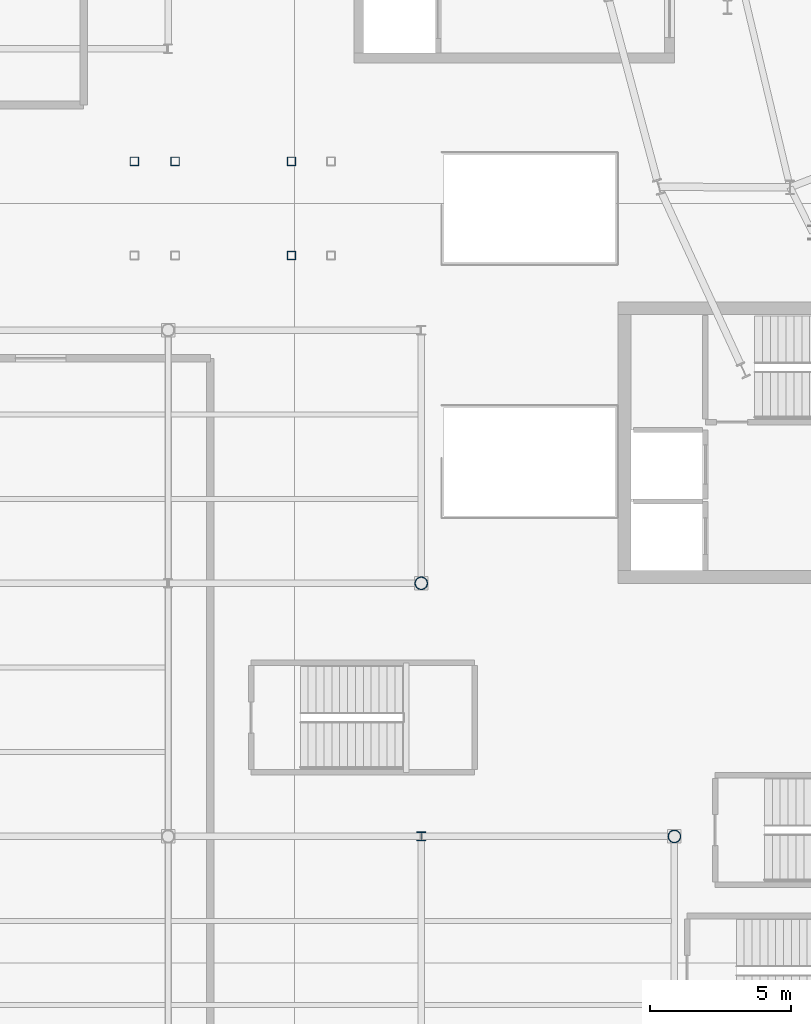
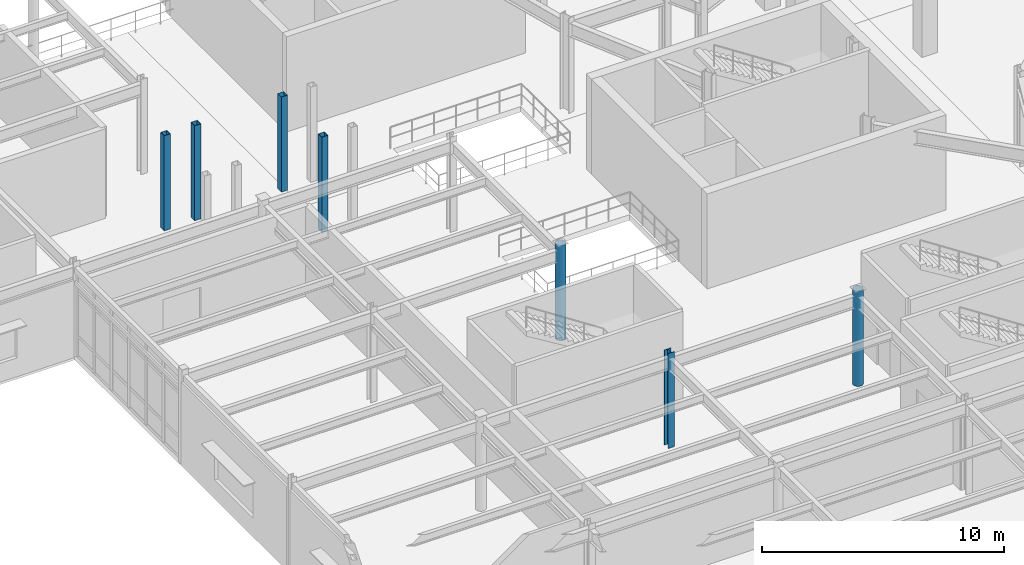
# One storey, part 4 of 86: 7 columns.
"""IFC4 building model written with IfcOpenShell, lengths in metres."""

from ifc_helpers import new_model, si_unit, direction, frame, origin, origin_2d, place, context, subcontext, project, spatial, hollow_rectangle, hollow_circle, i_section, extrude, material, material_profile, profile_set, type_object, element, save


model = new_model("IFC4")

# Units and contexts
model_context = context("Model", 3, precision=1e-05, world=origin(), true_north=direction((0.0, 1.0)))
body_context = subcontext(model_context, "Body", "Model", "MODEL_VIEW")
ifc_project = project(units=[si_unit("LENGTHUNIT", "METRE"), si_unit("AREAUNIT", "SQUARE_METRE"), si_unit("VOLUMEUNIT", "CUBIC_METRE"), si_unit("PLANEANGLEUNIT", "RADIAN"), si_unit("MASSUNIT", "GRAM", prefix="KILO")], contexts=[model_context])

# Site, building, storey
site_placement = place(None, origin())
site = spatial("IfcSite", under=ifc_project, at=site_placement, CompositionType="ELEMENT")
building_placement = place(site_placement, origin())
building = spatial("IfcBuilding", under=site, at=building_placement, Name="Glasvene Arena", CompositionType="ELEMENT")
storey_placement = place(building_placement, frame((0.0, 0.0, 5.39990234375)))
storey = spatial("IfcBuildingStorey", under=building, at=storey_placement, Name="L01", CompositionType="ELEMENT", Elevation=5.39990234375)

# Columns
ifc_material = material(Name="Steel S355J2", Category="steel")
ifc_material_profile_1 = material_profile(ifc_material, hollow_circle(Radius=0.228515625, WallThickness=0.02001953125, at=origin_2d()), Name="CHS 457.0x20.0")
ifc_profile_set_1 = profile_set([ifc_material_profile_1], Name="Steel S355J2")
column_type_1 = type_object("IfcColumnType", Name="COL-W-CHS457", PredefinedType="COLUMN", material=ifc_profile_set_1)
for number, where, z_axis, x_axis, name in (
    (1, (36.0, 45.0, 0.0), (0.0, 0.0, 1.0), (1.0, 0.0, 0.0), "Grid column 5-6 L01"),
    (2, (45.0, 36.0, 0.0), (0.0, 0.0, 1.0), (1.0, 0.0, 0.0), "Grid column 6-5 L01"),
):
    element("IfcColumn", number, at=place(storey_placement, frame(where, z_axis=z_axis, x_axis=x_axis)), inside=storey, type_object=column_type_1, Name=name, PredefinedType="COLUMN", context=body_context, shape_type="SweptSolid", body=[
        extrude(hollow_circle(Radius=0.228515625, WallThickness=0.02001953125, at=origin_2d()), origin(), (0.0, 0.0, 1.0), 4.800048828125),
    ])
ifc_material_profile_2 = material_profile(ifc_material, hollow_rectangle(XDim=0.300048828125, YDim=0.300048828125, WallThickness=0.012451171875, at=origin_2d()), Name="SHS 300x300x12.5")
ifc_profile_set_2 = profile_set([ifc_material_profile_2], Name="Steel S355J2")
column_type_2 = type_object("IfcColumnType", Name="COL-W-SHS300", PredefinedType="COLUMN", material=ifc_profile_set_2)
for number, where, z_axis, x_axis, name in (
    (3, (25.800048828125, 60.0, 0.0), (0.0, 0.0, 1.0), (1.0, 0.0, 0.0), "Vomitory arrival support column VOM-05 L01"),
    (4, (27.25, 60.0, 0.0), (0.0, 0.0, 1.0), (1.0, 0.0, 0.0), "Vomitory arrival support column VOM-05 L01"),
    (5, (31.389892578125, 56.64990234375, 0.0), (0.0, 0.0, 1.0), (1.0, 0.0, 0.0), "Vomitory landing column VOM-05 L01"),
    (6, (31.389892578125, 60.0, 0.0), (0.0, 0.0, 1.0), (1.0, 0.0, 0.0), "Vomitory landing column VOM-05 L01"),
):
    element("IfcColumn", number, at=place(storey_placement, frame(where, z_axis=z_axis, x_axis=x_axis)), inside=storey, type_object=column_type_2, Name=name, PredefinedType="COLUMN", context=body_context, shape_type="SweptSolid", body=[
        extrude(hollow_rectangle(XDim=0.300048828125, YDim=0.300048828125, WallThickness=0.012451171875, at=origin_2d()), origin(), (0.0, 0.0, 1.0), 4.800048828125),
    ])
ifc_material_profile_3 = material_profile(ifc_material, i_section(OverallWidth=0.30908203125, OverallDepth=0.320556640625, WebThickness=0.013916015625, FlangeThickness=0.021728515625, FilletRadius=0.01513671875, at=origin_2d()), Name="UKC 305x305x137")
ifc_profile_set_3 = profile_set([ifc_material_profile_3], Name="Steel S355J2")
column_type_3 = type_object("IfcColumnType", Name="COL-W-UKC137", PredefinedType="COLUMN", material=ifc_profile_set_3)
column_placement = place(storey_placement, frame((36.0, 36.0, 0.0), z_axis=(0.0, 0.0, 1.0), x_axis=(1.0, 0.0, 0.0)))
element("IfcColumn", 7, at=column_placement, inside=storey, type_object=column_type_3, Name="Grid column 5-5 L01", PredefinedType="COLUMN", context=body_context, shape_type="SweptSolid", body=[
    extrude(i_section(OverallWidth=0.30908203125, OverallDepth=0.320556640625, WebThickness=0.013916015625, FlangeThickness=0.021728515625, FilletRadius=0.01513671875, at=origin_2d()), origin(), (0.0, 0.0, 1.0), 4.800048828125),
])

save(model, "model.ifc")
